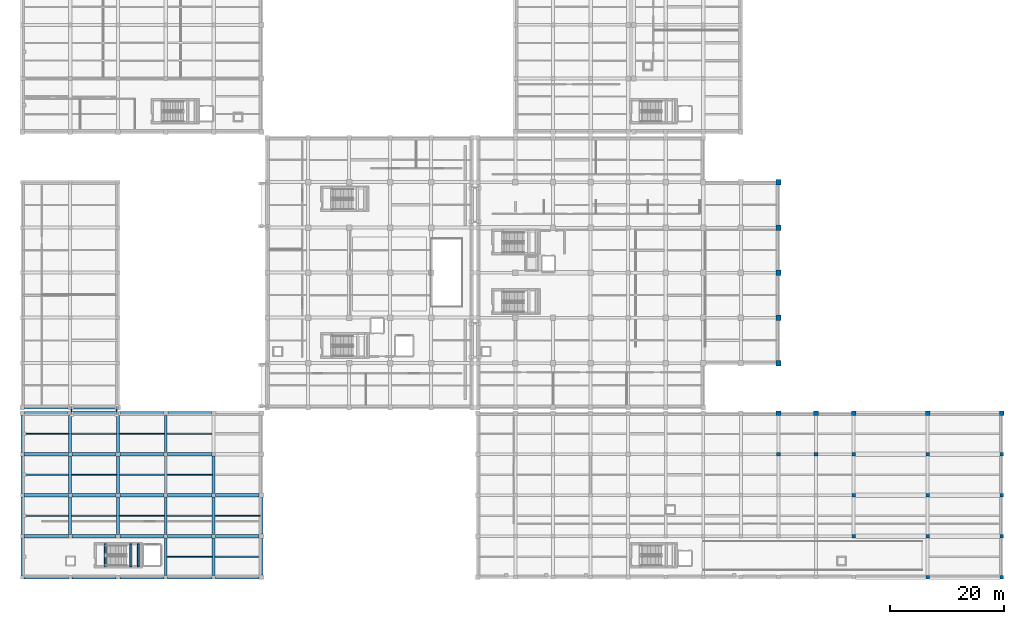
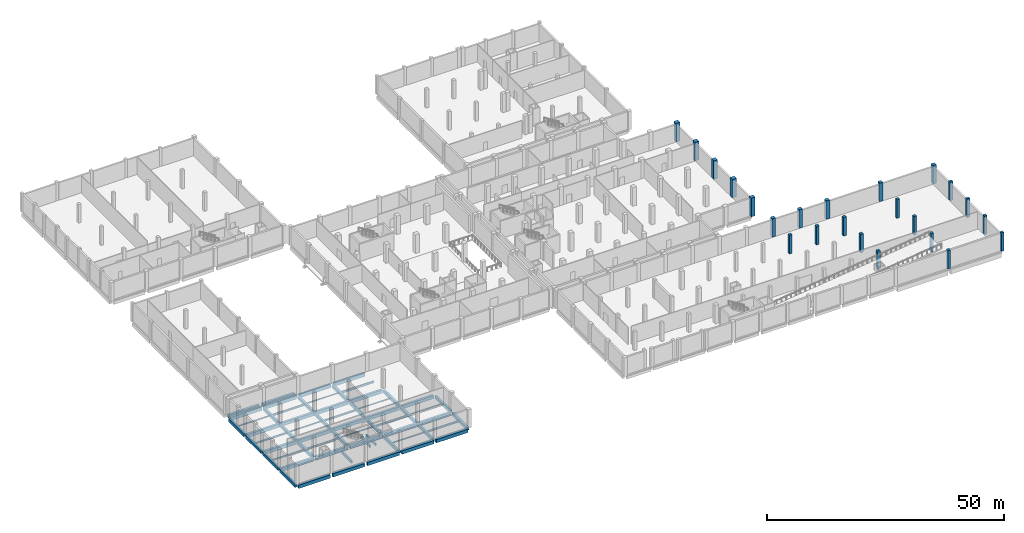
# One storey, part 2 of 31: 64 beams, 23 columns.
"""IFC4 building model written with IfcOpenShell, lengths in metres."""

from ifc_helpers import new_model, si_unit, direction, frame, origin, origin_2d, place, context, subcontext, project, spatial, rectangle, hollow_rectangle, i_section, extrude, material, material_profile, profile_set, type_object, element, save


model = new_model("IFC4")

# Units and contexts
model_context = context("Model", 3, precision=1e-05, world=origin(), true_north=direction((0.0, 1.0)))
body_context = subcontext(model_context, "Body", "Model", "MODEL_VIEW")
ifc_project = project(units=[si_unit("LENGTHUNIT", "METRE"), si_unit("AREAUNIT", "SQUARE_METRE"), si_unit("VOLUMEUNIT", "CUBIC_METRE"), si_unit("PLANEANGLEUNIT", "RADIAN"), si_unit("MASSUNIT", "GRAM", prefix="KILO")], contexts=[model_context])

# Site, building, storey
site_placement = place(None, origin())
site = spatial("IfcSite", under=ifc_project, at=site_placement, CompositionType="ELEMENT")
building_placement = place(site_placement, origin())
building = spatial("IfcBuilding", under=site, at=building_placement, Name="Kelarvand Opera House", CompositionType="ELEMENT")
storey_placement = place(building_placement, frame((0.0, 0.0, -4.800048828125)))
storey = spatial("IfcBuildingStorey", under=building, at=storey_placement, Name="B1", CompositionType="ELEMENT", Elevation=-4.800048828125)

# Columns
ifc_material_1 = material(Name="Concrete C40/50", Category="concrete")
ifc_material_profile_1 = material_profile(ifc_material_1, rectangle(XDim=0.64990234375, YDim=0.64990234375, at=origin_2d()), Name="RC 650x650", Category="concrete")
ifc_profile_set_1 = profile_set([ifc_material_profile_1], Name="Concrete C40/50")
column_type_1 = type_object("IfcColumnType", Name="Structural Column RC 650x650 (Int) COL-650", PredefinedType="COLUMN", material=ifc_profile_set_1)
for number, where, z_axis, x_axis, name in (
    (1, (141.800048828125, 30.60009765625, 0.0), (0.0, 0.0, 1.0), (1.0, 0.0, 0.0), "V6 Column COL-650 at B1"),
    (2, (148.39990234375, 30.60009765625, 0.0), (0.0, 0.0, 1.0), (1.0, 0.0, 0.0), "V6 Column COL-650 at B1"),
    (3, (155.0, 16.199951171875, 0.0), (0.0, 0.0, 1.0), (1.0, 0.0, 0.0), "V6 Column COL-650 at B1"),
    (4, (155.0, 23.39990234375, 0.0), (0.0, 0.0, 1.0), (1.0, 0.0, 0.0), "V6 Column COL-650 at B1"),
    (5, (155.0, 30.60009765625, 0.0), (0.0, 0.0, 1.0), (1.0, 0.0, 0.0), "V6 Column COL-650 at B1"),
    (6, (168.0, 9.0, 0.0), (0.0, 0.0, 1.0), (1.0, 0.0, 0.0), "V6 Column COL-650 at B1"),
    (7, (168.0, 16.199951171875, 0.0), (0.0, 0.0, 1.0), (1.0, 0.0, 0.0), "V6 Column COL-650 at B1"),
    (8, (168.0, 23.39990234375, 0.0), (0.0, 0.0, 1.0), (1.0, 0.0, 0.0), "V6 Column COL-650 at B1"),
    (9, (168.0, 30.60009765625, 0.0), (0.0, 0.0, 1.0), (1.0, 0.0, 0.0), "V6 Column COL-650 at B1"),
    (10, (181.0, 9.0, 0.0), (0.0, 0.0, 1.0), (1.0, 0.0, 0.0), "V6 Column COL-650 at B1"),
    (11, (181.0, 16.199951171875, 0.0), (0.0, 0.0, 1.0), (1.0, 0.0, 0.0), "V6 Column COL-650 at B1"),
    (12, (181.0, 23.39990234375, 0.0), (0.0, 0.0, 1.0), (1.0, 0.0, 0.0), "V6 Column COL-650 at B1"),
    (13, (181.0, 30.60009765625, 0.0), (0.0, 0.0, 1.0), (1.0, 0.0, 0.0), "V6 Column COL-650 at B1"),
):
    element("IfcColumn", number, at=place(storey_placement, frame(where, z_axis=z_axis, x_axis=x_axis)), inside=storey, type_object=column_type_1, Name=name, PredefinedType="COLUMN", context=body_context, shape_type="SweptSolid", body=[
        extrude(rectangle(XDim=0.64990234375, YDim=0.64990234375, at=origin_2d()), origin(), (0.0, 0.0, 1.0), 4.800048828125),
    ])
ifc_material_profile_2 = material_profile(ifc_material_1, rectangle(XDim=0.820068359375, YDim=0.820068359375, at=origin_2d()), Name="RC 820x820", Category="concrete")
ifc_profile_set_2 = profile_set([ifc_material_profile_2], Name="Concrete C40/50")
column_type_2 = type_object("IfcColumnType", Name="Structural Column RC 820x820 (Int) COL-820", PredefinedType="COLUMN", material=ifc_profile_set_2)
for number, where, z_axis, x_axis, name in (
    (14, (141.800048828125, 37.800048828125, 0.0), (0.0, 0.0, 1.0), (1.0, 0.0, 0.0), "V6 Column COL-820 at B1"),
    (15, (148.39990234375, 37.800048828125, 0.0), (0.0, 0.0, 1.0), (1.0, 0.0, 0.0), "V6 Column COL-820 at B1"),
    (16, (155.0, 37.800048828125, 0.0), (0.0, 0.0, 1.0), (1.0, 0.0, 0.0), "V6 Column COL-820 at B1"),
    (17, (168.0, 37.800048828125, 0.0), (0.0, 0.0, 1.0), (1.0, 0.0, 0.0), "V6 Column COL-820 at B1"),
    (18, (181.0, 37.800048828125, 0.0), (0.0, 0.0, 1.0), (1.0, 0.0, 0.0), "V6 Column COL-820 at B1"),
):
    element("IfcColumn", number, at=place(storey_placement, frame(where, z_axis=z_axis, x_axis=x_axis)), inside=storey, type_object=column_type_2, Name=name, PredefinedType="COLUMN", context=body_context, shape_type="SweptSolid", body=[
        extrude(rectangle(XDim=0.820068359375, YDim=0.820068359375, at=origin_2d()), origin(), (0.0, 0.0, 1.0), 4.800048828125),
    ])
ifc_material_profile_3 = material_profile(ifc_material_1, rectangle(XDim=0.949951171875, YDim=0.949951171875, at=origin_2d()), Name="RC 950x950", Category="concrete")
ifc_profile_set_3 = profile_set([ifc_material_profile_3], Name="Concrete C40/50")
column_type_3 = type_object("IfcColumnType", Name="Structural Column RC 950x950 (Int) COL-950", PredefinedType="COLUMN", material=ifc_profile_set_3)
for number, where, z_axis, x_axis, name in (
    (19, (141.800048828125, 46.60009765625, 0.0), (0.0, 0.0, 1.0), (1.0, 0.0, 0.0), "V1 Column COL-950 at B1"),
    (20, (141.800048828125, 54.60009765625, 0.0), (0.0, 0.0, 1.0), (1.0, 0.0, 0.0), "V1 Column COL-950 at B1"),
    (21, (141.800048828125, 62.5, 0.0), (0.0, 0.0, 1.0), (1.0, 0.0, 0.0), "V1 Column COL-950 at B1"),
    (22, (141.800048828125, 70.39990234375, 0.0), (0.0, 0.0, 1.0), (1.0, 0.0, 0.0), "V1 Column COL-950 at B1"),
    (23, (141.800048828125, 78.39990234375, 0.0), (0.0, 0.0, 1.0), (1.0, 0.0, 0.0), "V1 Column COL-950 at B1"),
):
    element("IfcColumn", number, at=place(storey_placement, frame(where, z_axis=z_axis, x_axis=x_axis)), inside=storey, type_object=column_type_3, Name=name, PredefinedType="COLUMN", context=body_context, shape_type="SweptSolid", body=[
        extrude(rectangle(XDim=0.949951171875, YDim=0.949951171875, at=origin_2d()), origin(), (0.0, 0.0, 1.0), 4.800048828125),
    ])

# Beams
ifc_material_2 = material(Name="Concrete C35/45", Category="concrete")
ifc_material_profile_4 = material_profile(ifc_material_2, rectangle(XDim=0.35009765625, YDim=0.60009765625, at=origin_2d()), Name="RC 350x600", Category="concrete")
ifc_profile_set_4 = profile_set([ifc_material_profile_4], Name="Concrete C35/45")
beam_type_1 = type_object("IfcBeamType", Name="Structural Beam RC 350x600 BM-RC350x600", PredefinedType="BEAM", material=ifc_profile_set_4)
for number, where, z_axis, x_axis, name in (
    (24, (23.5400390625, 10.85009765625, -0.52001953125), (0.0, 1.0, 0.0), (-1.0, 0.0, 0.0), "C6 Stair Landing Support Beam B1"),
    (25, (28.050048828125, 10.85009765625, 1.900146484375), (0.0, 1.0, 0.0), (-1.0, 0.0, 0.0), "C6 Stair Half-Landing Beam 1 B1"),
    (26, (29.35009765625, 10.85009765625, 1.900146484375), (0.0, 1.0, 0.0), (-1.0, 0.0, 0.0), "C6 Stair Half-Landing Beam 2 B1"),
):
    element("IfcBeam", number, at=place(storey_placement, frame(where, z_axis=z_axis, x_axis=x_axis)), inside=storey, type_object=beam_type_1, Name=name, PredefinedType="BEAM", context=body_context, shape_type="SweptSolid", body=[
        extrude(rectangle(XDim=0.35009765625, YDim=0.60009765625, at=origin_2d()), origin(), (0.0, 0.0, 1.0), 4.0),
    ])
ifc_material_profile_5 = material_profile(ifc_material_1, rectangle(XDim=0.5, YDim=0.75, at=origin_2d()), Name="RC 500x750", Category="concrete")
ifc_profile_set_5 = profile_set([ifc_material_profile_5], Name="Concrete C40/50")
beam_type_2 = type_object("IfcBeamType", Name="Structural Beam RC 500x750 BM-RC500x750", PredefinedType="BEAM", material=ifc_profile_set_5)
for number, where, z_axis, x_axis, name in (
    (27, (9.0, 9.324951171875, -0.675048828125), (0.0, 1.0, 0.0), (-1.0, 0.0, 0.0), "V4 B1 Beam BM-RC500x750"),
    (28, (9.0, 16.52490234375, -0.675048828125), (0.0, 1.0, 0.0), (-1.0, 0.0, 0.0), "V4 B1 Beam BM-RC500x750"),
):
    element("IfcBeam", number, at=place(storey_placement, frame(where, z_axis=z_axis, x_axis=x_axis)), inside=storey, type_object=beam_type_2, Name=name, PredefinedType="BEAM", context=body_context, shape_type="SweptSolid", body=[
        extrude(rectangle(XDim=0.5, YDim=0.75, at=origin_2d()), origin(), (0.0, 0.0, 1.0), 6.550048828125),
    ])
beam_1_placement = place(storey_placement, frame((9.0, 23.72509765625, -0.675048828125), z_axis=(0.0, 1.0, 0.0), x_axis=(-1.0, 0.0, 0.0)))
element("IfcBeam", 29, at=beam_1_placement, inside=storey, type_object=beam_type_2, Name="V4 B1 Beam BM-RC500x750", PredefinedType="BEAM", context=body_context, shape_type="SweptSolid", body=[
    extrude(rectangle(XDim=0.5, YDim=0.75, at=origin_2d()), origin(), (0.0, 0.0, 1.0), 6.5498046875),
])
beam_2_placement = place(storey_placement, frame((9.0, 30.925048828125, -0.675048828125), z_axis=(0.0, 1.0, 0.0), x_axis=(-1.0, 0.0, 0.0)))
element("IfcBeam", 30, at=beam_2_placement, inside=storey, type_object=beam_type_2, Name="V4 B1 Beam BM-RC500x750", PredefinedType="BEAM", context=body_context, shape_type="SweptSolid", body=[
    extrude(rectangle(XDim=0.5, YDim=0.75, at=origin_2d()), origin(), (0.0, 0.0, 1.0), 6.46484375),
])
beam_3_placement = place(storey_placement, frame((17.39990234375, 16.52490234375, -0.675048828125), z_axis=(0.0, 1.0, 0.0), x_axis=(-1.0, 0.0, 0.0)))
element("IfcBeam", 31, at=beam_3_placement, inside=storey, type_object=beam_type_2, Name="V4 B1 Beam BM-RC500x750", PredefinedType="BEAM", context=body_context, shape_type="SweptSolid", body=[
    extrude(rectangle(XDim=0.5, YDim=0.75, at=origin_2d()), origin(), (0.0, 0.0, 1.0), 6.550048828125),
])
beam_4_placement = place(storey_placement, frame((17.39990234375, 23.72509765625, -0.675048828125), z_axis=(0.0, 1.0, 0.0), x_axis=(-1.0, 0.0, 0.0)))
element("IfcBeam", 32, at=beam_4_placement, inside=storey, type_object=beam_type_2, Name="V4 B1 Beam BM-RC500x750", PredefinedType="BEAM", context=body_context, shape_type="SweptSolid", body=[
    extrude(rectangle(XDim=0.5, YDim=0.75, at=origin_2d()), origin(), (0.0, 0.0, 1.0), 6.5498046875),
])
beam_5_placement = place(storey_placement, frame((17.39990234375, 30.925048828125, -0.675048828125), z_axis=(0.0, 1.0, 0.0), x_axis=(-1.0, 0.0, 0.0)))
element("IfcBeam", 33, at=beam_5_placement, inside=storey, type_object=beam_type_2, Name="V4 B1 Beam BM-RC500x750", PredefinedType="BEAM", context=body_context, shape_type="SweptSolid", body=[
    extrude(rectangle(XDim=0.5, YDim=0.75, at=origin_2d()), origin(), (0.0, 0.0, 1.0), 6.46484375),
])
beam_6_placement = place(storey_placement, frame((25.800048828125, 16.52490234375, -0.675048828125), z_axis=(0.0, 1.0, 0.0), x_axis=(-1.0, 0.0, 0.0)))
element("IfcBeam", 34, at=beam_6_placement, inside=storey, type_object=beam_type_2, Name="V4 B1 Beam BM-RC500x750", PredefinedType="BEAM", context=body_context, shape_type="SweptSolid", body=[
    extrude(rectangle(XDim=0.5, YDim=0.75, at=origin_2d()), origin(), (0.0, 0.0, 1.0), 6.550048828125),
])
beam_7_placement = place(storey_placement, frame((25.800048828125, 23.72509765625, -0.675048828125), z_axis=(0.0, 1.0, 0.0), x_axis=(-1.0, 0.0, 0.0)))
element("IfcBeam", 35, at=beam_7_placement, inside=storey, type_object=beam_type_2, Name="V4 B1 Beam BM-RC500x750", PredefinedType="BEAM", context=body_context, shape_type="SweptSolid", body=[
    extrude(rectangle(XDim=0.5, YDim=0.75, at=origin_2d()), origin(), (0.0, 0.0, 1.0), 6.5498046875),
])
beam_8_placement = place(storey_placement, frame((25.800048828125, 30.925048828125, -0.675048828125), z_axis=(0.0, 1.0, 0.0), x_axis=(-1.0, 0.0, 0.0)))
element("IfcBeam", 36, at=beam_8_placement, inside=storey, type_object=beam_type_2, Name="V4 B1 Beam BM-RC500x750", PredefinedType="BEAM", context=body_context, shape_type="SweptSolid", body=[
    extrude(rectangle(XDim=0.5, YDim=0.75, at=origin_2d()), origin(), (0.0, 0.0, 1.0), 6.46484375),
])
for number, where, z_axis, x_axis, name in (
    (37, (34.199951171875, 9.324951171875, -0.675048828125), (0.0, 1.0, 0.0), (-1.0, 0.0, 0.0), "V4 B1 Beam BM-RC500x750"),
    (38, (34.199951171875, 16.52490234375, -0.675048828125), (0.0, 1.0, 0.0), (-1.0, 0.0, 0.0), "V4 B1 Beam BM-RC500x750"),
):
    element("IfcBeam", number, at=place(storey_placement, frame(where, z_axis=z_axis, x_axis=x_axis)), inside=storey, type_object=beam_type_2, Name=name, PredefinedType="BEAM", context=body_context, shape_type="SweptSolid", body=[
        extrude(rectangle(XDim=0.5, YDim=0.75, at=origin_2d()), origin(), (0.0, 0.0, 1.0), 6.550048828125),
    ])
beam_9_placement = place(storey_placement, frame((34.199951171875, 23.72509765625, -0.675048828125), z_axis=(0.0, 1.0, 0.0), x_axis=(-1.0, 0.0, 0.0)))
element("IfcBeam", 39, at=beam_9_placement, inside=storey, type_object=beam_type_2, Name="V4 B1 Beam BM-RC500x750", PredefinedType="BEAM", context=body_context, shape_type="SweptSolid", body=[
    extrude(rectangle(XDim=0.5, YDim=0.75, at=origin_2d()), origin(), (0.0, 0.0, 1.0), 6.5498046875),
])
beam_10_placement = place(storey_placement, frame((34.199951171875, 30.925048828125, -0.675048828125), z_axis=(0.0, 1.0, 0.0), x_axis=(-1.0, 0.0, 0.0)))
element("IfcBeam", 40, at=beam_10_placement, inside=storey, type_object=beam_type_2, Name="V4 B1 Beam BM-RC500x750", PredefinedType="BEAM", context=body_context, shape_type="SweptSolid", body=[
    extrude(rectangle(XDim=0.5, YDim=0.75, at=origin_2d()), origin(), (0.0, 0.0, 1.0), 6.46484375),
])
for number, where, z_axis, x_axis, name in (
    (41, (42.60009765625, 9.324951171875, -0.675048828125), (0.0, 1.0, 0.0), (-1.0, 0.0, 0.0), "V4 B1 Beam BM-RC500x750"),
    (42, (42.60009765625, 16.52490234375, -0.675048828125), (0.0, 1.0, 0.0), (-1.0, 0.0, 0.0), "V4 B1 Beam BM-RC500x750"),
):
    element("IfcBeam", number, at=place(storey_placement, frame(where, z_axis=z_axis, x_axis=x_axis)), inside=storey, type_object=beam_type_2, Name=name, PredefinedType="BEAM", context=body_context, shape_type="SweptSolid", body=[
        extrude(rectangle(XDim=0.5, YDim=0.75, at=origin_2d()), origin(), (0.0, 0.0, 1.0), 6.550048828125),
    ])
beam_11_placement = place(storey_placement, frame((42.60009765625, 23.72509765625, -0.675048828125), z_axis=(0.0, 1.0, 0.0), x_axis=(-1.0, 0.0, 0.0)))
element("IfcBeam", 43, at=beam_11_placement, inside=storey, type_object=beam_type_2, Name="V4 B1 Beam BM-RC500x750", PredefinedType="BEAM", context=body_context, shape_type="SweptSolid", body=[
    extrude(rectangle(XDim=0.5, YDim=0.75, at=origin_2d()), origin(), (0.0, 0.0, 1.0), 6.5498046875),
])
beam_12_placement = place(storey_placement, frame((51.0, 9.409912109375, -0.675048828125), z_axis=(0.0, 1.0, 0.0), x_axis=(-1.0, 0.0, 0.0)))
element("IfcBeam", 44, at=beam_12_placement, inside=storey, type_object=beam_type_2, Name="V4 B1 Beam BM-RC500x750", PredefinedType="BEAM", context=body_context, shape_type="SweptSolid", body=[
    extrude(rectangle(XDim=0.5, YDim=0.75, at=origin_2d()), origin(), (0.0, 0.0, 1.0), 6.380126953125),
])
beam_13_placement = place(storey_placement, frame((51.0, 16.610107421875, -0.675048828125), z_axis=(0.0, 1.0, 0.0), x_axis=(-1.0, 0.0, 0.0)))
element("IfcBeam", 45, at=beam_13_placement, inside=storey, type_object=beam_type_2, Name="V4 B1 Beam BM-RC500x750", PredefinedType="BEAM", context=body_context, shape_type="SweptSolid", body=[
    extrude(rectangle(XDim=0.5, YDim=0.75, at=origin_2d()), origin(), (0.0, 0.0, 1.0), 6.3798828125),
])
ifc_material_profile_6 = material_profile(ifc_material_1, rectangle(XDim=0.550048828125, YDim=0.85009765625, at=origin_2d()), Name="RC 550x850", Category="concrete")
ifc_profile_set_6 = profile_set([ifc_material_profile_6], Name="Concrete C40/50")
beam_type_3 = type_object("IfcBeamType", Name="Structural Beam RC 550x850 BM-RC550x850", PredefinedType="BEAM", material=ifc_profile_set_6)
for number, where, z_axis, x_axis, name in (
    (46, (9.324951171875, 9.0, -0.724853515625), (1.0, 0.0, 0.0), (0.0, 1.0, 0.0), "V4 B1 Beam BM-RC550x850"),
    (47, (17.72509765625, 9.0, -0.724853515625), (1.0, 0.0, 0.0), (0.0, 1.0, 0.0), "V4 B1 Beam BM-RC550x850"),
    (48, (26.125, 9.0, -0.724853515625), (1.0, 0.0, 0.0), (0.0, 1.0, 0.0), "V4 B1 Beam BM-RC550x850"),
    (49, (34.52490234375, 9.0, -0.724853515625), (1.0, 0.0, 0.0), (0.0, 1.0, 0.0), "V4 B1 Beam BM-RC550x850"),
):
    element("IfcBeam", number, at=place(storey_placement, frame(where, z_axis=z_axis, x_axis=x_axis)), inside=storey, type_object=beam_type_3, Name=name, PredefinedType="BEAM", context=body_context, shape_type="SweptSolid", body=[
        extrude(rectangle(XDim=0.550048828125, YDim=0.85009765625, at=origin_2d()), origin(), (0.0, 0.0, 1.0), 7.75),
    ])
beam_14_placement = place(storey_placement, frame((42.925048828125, 9.0, -0.724853515625), z_axis=(1.0, 0.0, 0.0), x_axis=(0.0, 1.0, 0.0)))
element("IfcBeam", 50, at=beam_14_placement, inside=storey, type_object=beam_type_3, Name="V4 B1 Beam BM-RC550x850", PredefinedType="BEAM", context=body_context, shape_type="SweptSolid", body=[
    extrude(rectangle(XDim=0.550048828125, YDim=0.85009765625, at=origin_2d()), origin(), (0.0, 0.0, 1.0), 7.6650390625),
])
for number, where, z_axis, x_axis, name in (
    (51, (9.324951171875, 16.199951171875, -0.724853515625), (1.0, 0.0, 0.0), (0.0, 1.0, 0.0), "V4 B1 Beam BM-RC550x850"),
    (52, (17.72509765625, 16.199951171875, -0.724853515625), (1.0, 0.0, 0.0), (0.0, 1.0, 0.0), "V4 B1 Beam BM-RC550x850"),
    (53, (26.125, 16.199951171875, -0.724853515625), (1.0, 0.0, 0.0), (0.0, 1.0, 0.0), "V4 B1 Beam BM-RC550x850"),
    (54, (34.52490234375, 16.199951171875, -0.724853515625), (1.0, 0.0, 0.0), (0.0, 1.0, 0.0), "V4 B1 Beam BM-RC550x850"),
):
    element("IfcBeam", number, at=place(storey_placement, frame(where, z_axis=z_axis, x_axis=x_axis)), inside=storey, type_object=beam_type_3, Name=name, PredefinedType="BEAM", context=body_context, shape_type="SweptSolid", body=[
        extrude(rectangle(XDim=0.550048828125, YDim=0.85009765625, at=origin_2d()), origin(), (0.0, 0.0, 1.0), 7.75),
    ])
beam_15_placement = place(storey_placement, frame((42.925048828125, 16.199951171875, -0.724853515625), z_axis=(1.0, 0.0, 0.0), x_axis=(0.0, 1.0, 0.0)))
element("IfcBeam", 55, at=beam_15_placement, inside=storey, type_object=beam_type_3, Name="V4 B1 Beam BM-RC550x850", PredefinedType="BEAM", context=body_context, shape_type="SweptSolid", body=[
    extrude(rectangle(XDim=0.550048828125, YDim=0.85009765625, at=origin_2d()), origin(), (0.0, 0.0, 1.0), 7.6650390625),
])
for number, where, z_axis, x_axis, name in (
    (56, (9.324951171875, 23.39990234375, -0.724853515625), (1.0, 0.0, 0.0), (0.0, 1.0, 0.0), "V4 B1 Beam BM-RC550x850"),
    (57, (17.72509765625, 23.39990234375, -0.724853515625), (1.0, 0.0, 0.0), (0.0, 1.0, 0.0), "V4 B1 Beam BM-RC550x850"),
    (58, (26.125, 23.39990234375, -0.724853515625), (1.0, 0.0, 0.0), (0.0, 1.0, 0.0), "V4 B1 Beam BM-RC550x850"),
    (59, (34.52490234375, 23.39990234375, -0.724853515625), (1.0, 0.0, 0.0), (0.0, 1.0, 0.0), "V4 B1 Beam BM-RC550x850"),
):
    element("IfcBeam", number, at=place(storey_placement, frame(where, z_axis=z_axis, x_axis=x_axis)), inside=storey, type_object=beam_type_3, Name=name, PredefinedType="BEAM", context=body_context, shape_type="SweptSolid", body=[
        extrude(rectangle(XDim=0.550048828125, YDim=0.85009765625, at=origin_2d()), origin(), (0.0, 0.0, 1.0), 7.75),
    ])
beam_16_placement = place(storey_placement, frame((42.925048828125, 23.39990234375, -0.724853515625), z_axis=(1.0, 0.0, 0.0), x_axis=(0.0, 1.0, 0.0)))
element("IfcBeam", 60, at=beam_16_placement, inside=storey, type_object=beam_type_3, Name="V4 B1 Beam BM-RC550x850", PredefinedType="BEAM", context=body_context, shape_type="SweptSolid", body=[
    extrude(rectangle(XDim=0.550048828125, YDim=0.85009765625, at=origin_2d()), origin(), (0.0, 0.0, 1.0), 7.6650390625),
])
for number, where, z_axis, x_axis, name in (
    (61, (9.324951171875, 30.60009765625, -0.724853515625), (1.0, 0.0, 0.0), (0.0, 1.0, 0.0), "V4 B1 Beam BM-RC550x850"),
    (62, (17.72509765625, 30.60009765625, -0.724853515625), (1.0, 0.0, 0.0), (0.0, 1.0, 0.0), "V4 B1 Beam BM-RC550x850"),
    (63, (26.125, 30.60009765625, -0.724853515625), (1.0, 0.0, 0.0), (0.0, 1.0, 0.0), "V4 B1 Beam BM-RC550x850"),
    (64, (34.52490234375, 30.60009765625, -0.724853515625), (1.0, 0.0, 0.0), (0.0, 1.0, 0.0), "V4 B1 Beam BM-RC550x850"),
):
    element("IfcBeam", number, at=place(storey_placement, frame(where, z_axis=z_axis, x_axis=x_axis)), inside=storey, type_object=beam_type_3, Name=name, PredefinedType="BEAM", context=body_context, shape_type="SweptSolid", body=[
        extrude(rectangle(XDim=0.550048828125, YDim=0.85009765625, at=origin_2d()), origin(), (0.0, 0.0, 1.0), 7.75),
    ])
beam_17_placement = place(storey_placement, frame((9.409912109375, 37.800048828125, -0.724853515625), z_axis=(1.0, 0.0, 0.0), x_axis=(0.0, 1.0, 0.0)))
element("IfcBeam", 65, at=beam_17_placement, inside=storey, type_object=beam_type_3, Name="V4 B1 Beam BM-RC550x850", PredefinedType="BEAM", context=body_context, shape_type="SweptSolid", body=[
    extrude(rectangle(XDim=0.550048828125, YDim=0.85009765625, at=origin_2d()), origin(), (0.0, 0.0, 1.0), 7.580078125),
])
beam_18_placement = place(storey_placement, frame((17.81005859375, 37.800048828125, -0.724853515625), z_axis=(1.0, 0.0, 0.0), x_axis=(0.0, 1.0, 0.0)))
element("IfcBeam", 66, at=beam_18_placement, inside=storey, type_object=beam_type_3, Name="V4 B1 Beam BM-RC550x850", PredefinedType="BEAM", context=body_context, shape_type="SweptSolid", body=[
    extrude(rectangle(XDim=0.550048828125, YDim=0.85009765625, at=origin_2d()), origin(), (0.0, 0.0, 1.0), 7.579833984375),
])
beam_19_placement = place(storey_placement, frame((26.2099609375, 37.800048828125, -0.724853515625), z_axis=(1.0, 0.0, 0.0), x_axis=(0.0, 1.0, 0.0)))
element("IfcBeam", 67, at=beam_19_placement, inside=storey, type_object=beam_type_3, Name="V4 B1 Beam BM-RC550x850", PredefinedType="BEAM", context=body_context, shape_type="SweptSolid", body=[
    extrude(rectangle(XDim=0.550048828125, YDim=0.85009765625, at=origin_2d()), origin(), (0.0, 0.0, 1.0), 7.580078125),
])
beam_20_placement = place(storey_placement, frame((34.610107421875, 37.800048828125, -0.724853515625), z_axis=(1.0, 0.0, 0.0), x_axis=(0.0, 1.0, 0.0)))
element("IfcBeam", 68, at=beam_20_placement, inside=storey, type_object=beam_type_3, Name="V4 B1 Beam BM-RC550x850", PredefinedType="BEAM", context=body_context, shape_type="SweptSolid", body=[
    extrude(rectangle(XDim=0.550048828125, YDim=0.85009765625, at=origin_2d()), origin(), (0.0, 0.0, 1.0), 7.579833984375),
])
beam_21_placement = place(storey_placement, frame((9.409912109375, 38.800048828125, -0.724853515625), z_axis=(1.0, 0.0, 0.0), x_axis=(0.0, 1.0, 0.0)))
element("IfcBeam", 69, at=beam_21_placement, inside=storey, type_object=beam_type_3, Name="V4 B1 Beam BM-RC550x850", PredefinedType="BEAM", context=body_context, shape_type="SweptSolid", body=[
    extrude(rectangle(XDim=0.550048828125, YDim=0.85009765625, at=origin_2d()), origin(), (0.0, 0.0, 1.0), 7.580078125),
])
beam_22_placement = place(storey_placement, frame((17.81005859375, 38.800048828125, -0.724853515625), z_axis=(1.0, 0.0, 0.0), x_axis=(0.0, 1.0, 0.0)))
element("IfcBeam", 70, at=beam_22_placement, inside=storey, type_object=beam_type_3, Name="V4 B1 Beam BM-RC550x850", PredefinedType="BEAM", context=body_context, shape_type="SweptSolid", body=[
    extrude(rectangle(XDim=0.550048828125, YDim=0.85009765625, at=origin_2d()), origin(), (0.0, 0.0, 1.0), 7.579833984375),
])
ifc_material_3 = material(Name="Steel S355", Category="steel")
ifc_material_profile_7 = material_profile(ifc_material_3, hollow_rectangle(XDim=0.199951171875, YDim=0.39990234375, WallThickness=0.01611328125, at=origin_2d()), Name="RHS 400x200x16.0", Category="steel")
ifc_profile_set_7 = profile_set([ifc_material_profile_7], Name="Steel S355")
beam_type_4 = type_object("IfcBeamType", Name="Structural Beam RHS 400x200x16.0 BM-RHS400", PredefinedType="BEAM", material=ifc_profile_set_7)
for number, where, z_axis, x_axis, name in (
    (71, (17.64990234375, 37.64990234375, -0.599853515625), (0.0, 1.0, 0.0), (-1.0, 0.0, 0.0), "Seismic Sliding Corbel Beam BR-JS-W B1 1"),
    (72, (25.550048828125, 37.64990234375, -0.599853515625), (0.0, 1.0, 0.0), (-1.0, 0.0, 0.0), "Seismic Sliding Corbel Beam BR-JS-W B1 2"),
):
    element("IfcBeam", number, at=place(storey_placement, frame(where, z_axis=z_axis, x_axis=x_axis)), inside=storey, type_object=beam_type_4, Name=name, PredefinedType="BEAM", context=body_context, shape_type="SweptSolid", body=[
        extrude(hollow_rectangle(XDim=0.199951171875, YDim=0.39990234375, WallThickness=0.01611328125, at=origin_2d()), origin(), (0.0, 0.0, 1.0), 1.300048828125),
    ])
ifc_material_profile_8 = material_profile(ifc_material_3, i_section(OverallWidth=0.14990234375, OverallDepth=0.300048828125, WebThickness=0.007080078125, FlangeThickness=0.0107421875, at=origin_2d()), Name="IPE 300", Category="steel")
ifc_profile_set_8 = profile_set([ifc_material_profile_8], Name="Steel S355")
beam_type_5 = type_object("IfcBeamType", Name="Structural Joist IPE 300 JS-IPE300", PredefinedType="JOIST", material=ifc_profile_set_8)
beam_23_placement = place(storey_placement, frame((26.050048828125, 34.199951171875, -0.449951171875), z_axis=(1.0, 0.0, 0.0), x_axis=(0.0, 1.0, 0.0)))
element("IfcBeam", 73, at=beam_23_placement, inside=storey, type_object=beam_type_5, Name="V4 B1 Beam JS-IPE300", PredefinedType="JOIST", context=body_context, shape_type="SweptSolid", body=[
    extrude(i_section(OverallWidth=0.14990234375, OverallDepth=0.300048828125, WebThickness=0.007080078125, FlangeThickness=0.0107421875, at=origin_2d()), origin(), (0.0, 0.0, 1.0), 7.89990234375),
])
beam_24_placement = place(storey_placement, frame((34.449951171875, 27.0, -0.449951171875), z_axis=(1.0, 0.0, 0.0), x_axis=(0.0, 1.0, 0.0)))
element("IfcBeam", 74, at=beam_24_placement, inside=storey, type_object=beam_type_5, Name="V4 B1 Beam JS-IPE300", PredefinedType="JOIST", context=body_context, shape_type="SweptSolid", body=[
    extrude(i_section(OverallWidth=0.14990234375, OverallDepth=0.300048828125, WebThickness=0.007080078125, FlangeThickness=0.0107421875, at=origin_2d()), origin(), (0.0, 0.0, 1.0), 7.900146484375),
])
beam_25_placement = place(storey_placement, frame((42.85009765625, 19.800048828125, -0.449951171875), z_axis=(1.0, 0.0, 0.0), x_axis=(0.0, 1.0, 0.0)))
element("IfcBeam", 75, at=beam_25_placement, inside=storey, type_object=beam_type_5, Name="V4 B1 Beam JS-IPE300", PredefinedType="JOIST", context=body_context, shape_type="SweptSolid", body=[
    extrude(i_section(OverallWidth=0.14990234375, OverallDepth=0.300048828125, WebThickness=0.007080078125, FlangeThickness=0.0107421875, at=origin_2d()), origin(), (0.0, 0.0, 1.0), 7.89990234375),
])
ifc_material_profile_9 = material_profile(ifc_material_3, i_section(OverallWidth=0.159912109375, OverallDepth=0.330078125, WebThickness=0.007568359375, FlangeThickness=0.011474609375, at=origin_2d()), Name="IPE 330", Category="steel")
ifc_profile_set_9 = profile_set([ifc_material_profile_9], Name="Steel S355")
beam_type_6 = type_object("IfcBeamType", Name="Structural Joist IPE 330 JS-IPE330", PredefinedType="JOIST", material=ifc_profile_set_9)
beam_26_placement = place(storey_placement, frame((9.25, 34.199951171875, -0.46484375), z_axis=(1.0, 0.0, 0.0), x_axis=(0.0, 1.0, 0.0)))
element("IfcBeam", 76, at=beam_26_placement, inside=storey, type_object=beam_type_6, Name="V4 B1 Beam JS-IPE330", PredefinedType="JOIST", context=body_context, shape_type="SweptSolid", body=[
    extrude(i_section(OverallWidth=0.159912109375, OverallDepth=0.330078125, WebThickness=0.007568359375, FlangeThickness=0.011474609375, at=origin_2d()), origin(), (0.0, 0.0, 1.0), 7.89990234375),
])
beam_27_placement = place(storey_placement, frame((17.64990234375, 27.0, -0.46484375), z_axis=(1.0, 0.0, 0.0), x_axis=(0.0, 1.0, 0.0)))
element("IfcBeam", 77, at=beam_27_placement, inside=storey, type_object=beam_type_6, Name="V4 B1 Beam JS-IPE330", PredefinedType="JOIST", context=body_context, shape_type="SweptSolid", body=[
    extrude(i_section(OverallWidth=0.159912109375, OverallDepth=0.330078125, WebThickness=0.007568359375, FlangeThickness=0.011474609375, at=origin_2d()), origin(), (0.0, 0.0, 1.0), 7.900146484375),
])
beam_28_placement = place(storey_placement, frame((26.050048828125, 19.800048828125, -0.46484375), z_axis=(1.0, 0.0, 0.0), x_axis=(0.0, 1.0, 0.0)))
element("IfcBeam", 78, at=beam_28_placement, inside=storey, type_object=beam_type_6, Name="V4 B1 Beam JS-IPE330", PredefinedType="JOIST", context=body_context, shape_type="SweptSolid", body=[
    extrude(i_section(OverallWidth=0.159912109375, OverallDepth=0.330078125, WebThickness=0.007568359375, FlangeThickness=0.011474609375, at=origin_2d()), origin(), (0.0, 0.0, 1.0), 7.89990234375),
])
beam_29_placement = place(storey_placement, frame((34.449951171875, 12.60009765625, -0.46484375), z_axis=(1.0, 0.0, 0.0), x_axis=(0.0, 1.0, 0.0)))
element("IfcBeam", 79, at=beam_29_placement, inside=storey, type_object=beam_type_6, Name="V4 B1 Beam JS-IPE330", PredefinedType="JOIST", context=body_context, shape_type="SweptSolid", body=[
    extrude(i_section(OverallWidth=0.159912109375, OverallDepth=0.330078125, WebThickness=0.007568359375, FlangeThickness=0.011474609375, at=origin_2d()), origin(), (0.0, 0.0, 1.0), 7.900146484375),
])
ifc_material_profile_10 = material_profile(ifc_material_3, i_section(OverallWidth=0.179931640625, OverallDepth=0.39990234375, WebThickness=0.008544921875, FlangeThickness=0.013427734375, at=origin_2d()), Name="IPE 400", Category="steel")
ifc_profile_set_10 = profile_set([ifc_material_profile_10], Name="Steel S355")
beam_type_7 = type_object("IfcBeamType", Name="Structural Joist IPE 400 JS-IPE400", PredefinedType="JOIST", material=ifc_profile_set_10)
beam_30_placement = place(storey_placement, frame((9.25, 19.800048828125, -0.5), z_axis=(1.0, 0.0, 0.0), x_axis=(0.0, 1.0, 0.0)))
element("IfcBeam", 80, at=beam_30_placement, inside=storey, type_object=beam_type_7, Name="V4 B1 Beam JS-IPE400", PredefinedType="JOIST", context=body_context, shape_type="SweptSolid", body=[
    extrude(i_section(OverallWidth=0.179931640625, OverallDepth=0.39990234375, WebThickness=0.008544921875, FlangeThickness=0.013427734375, at=origin_2d()), origin(), (0.0, 0.0, 1.0), 7.89990234375),
])
ifc_material_profile_11 = material_profile(ifc_material_3, i_section(OverallWidth=0.18994140625, OverallDepth=0.449951171875, WebThickness=0.009521484375, FlangeThickness=0.0146484375, at=origin_2d()), Name="IPE 450", Category="steel")
ifc_profile_set_11 = profile_set([ifc_material_profile_11], Name="Steel S355")
beam_type_8 = type_object("IfcBeamType", Name="Structural Joist IPE 450 JS-IPE450", PredefinedType="JOIST", material=ifc_profile_set_11)
beam_31_placement = place(storey_placement, frame((9.25, 27.0, -0.52490234375), z_axis=(1.0, 0.0, 0.0), x_axis=(0.0, 1.0, 0.0)))
element("IfcBeam", 81, at=beam_31_placement, inside=storey, type_object=beam_type_8, Name="V4 B1 Beam JS-IPE450", PredefinedType="JOIST", context=body_context, shape_type="SweptSolid", body=[
    extrude(i_section(OverallWidth=0.18994140625, OverallDepth=0.449951171875, WebThickness=0.009521484375, FlangeThickness=0.0146484375, at=origin_2d()), origin(), (0.0, 0.0, 1.0), 7.89990234375),
])
beam_32_placement = place(storey_placement, frame((17.64990234375, 19.800048828125, -0.52490234375), z_axis=(1.0, 0.0, 0.0), x_axis=(0.0, 1.0, 0.0)))
element("IfcBeam", 82, at=beam_32_placement, inside=storey, type_object=beam_type_8, Name="V4 B1 Beam JS-IPE450", PredefinedType="JOIST", context=body_context, shape_type="SweptSolid", body=[
    extrude(i_section(OverallWidth=0.18994140625, OverallDepth=0.449951171875, WebThickness=0.009521484375, FlangeThickness=0.0146484375, at=origin_2d()), origin(), (0.0, 0.0, 1.0), 7.900146484375),
])
ifc_material_profile_12 = material_profile(ifc_material_3, i_section(OverallWidth=0.199951171875, OverallDepth=0.5, WebThickness=0.01025390625, FlangeThickness=0.01611328125, at=origin_2d()), Name="IPE 500", Category="steel")
ifc_profile_set_12 = profile_set([ifc_material_profile_12], Name="Steel S355")
beam_type_9 = type_object("IfcBeamType", Name="Structural Joist IPE 500 JS-IPE500", PredefinedType="JOIST", material=ifc_profile_set_12)
beam_33_placement = place(storey_placement, frame((17.64990234375, 34.199951171875, -0.550048828125), z_axis=(1.0, 0.0, 0.0), x_axis=(0.0, 1.0, 0.0)))
element("IfcBeam", 83, at=beam_33_placement, inside=storey, type_object=beam_type_9, Name="V4 B1 Beam JS-IPE500", PredefinedType="JOIST", context=body_context, shape_type="SweptSolid", body=[
    extrude(i_section(OverallWidth=0.199951171875, OverallDepth=0.5, WebThickness=0.01025390625, FlangeThickness=0.01611328125, at=origin_2d()), origin(), (0.0, 0.0, 1.0), 7.900146484375),
])
beam_34_placement = place(storey_placement, frame((26.050048828125, 27.0, -0.550048828125), z_axis=(1.0, 0.0, 0.0), x_axis=(0.0, 1.0, 0.0)))
element("IfcBeam", 84, at=beam_34_placement, inside=storey, type_object=beam_type_9, Name="V4 B1 Beam JS-IPE500", PredefinedType="JOIST", context=body_context, shape_type="SweptSolid", body=[
    extrude(i_section(OverallWidth=0.199951171875, OverallDepth=0.5, WebThickness=0.01025390625, FlangeThickness=0.01611328125, at=origin_2d()), origin(), (0.0, 0.0, 1.0), 7.89990234375),
])
beam_35_placement = place(storey_placement, frame((34.449951171875, 19.800048828125, -0.550048828125), z_axis=(1.0, 0.0, 0.0), x_axis=(0.0, 1.0, 0.0)))
element("IfcBeam", 85, at=beam_35_placement, inside=storey, type_object=beam_type_9, Name="V4 B1 Beam JS-IPE500", PredefinedType="JOIST", context=body_context, shape_type="SweptSolid", body=[
    extrude(i_section(OverallWidth=0.199951171875, OverallDepth=0.5, WebThickness=0.01025390625, FlangeThickness=0.01611328125, at=origin_2d()), origin(), (0.0, 0.0, 1.0), 7.900146484375),
])
beam_36_placement = place(storey_placement, frame((42.85009765625, 12.60009765625, -0.550048828125), z_axis=(1.0, 0.0, 0.0), x_axis=(0.0, 1.0, 0.0)))
element("IfcBeam", 86, at=beam_36_placement, inside=storey, type_object=beam_type_9, Name="V4 B1 Beam JS-IPE500", PredefinedType="JOIST", context=body_context, shape_type="SweptSolid", body=[
    extrude(i_section(OverallWidth=0.199951171875, OverallDepth=0.5, WebThickness=0.01025390625, FlangeThickness=0.01611328125, at=origin_2d()), origin(), (0.0, 0.0, 1.0), 7.89990234375),
])
ifc_material_profile_13 = material_profile(ifc_material_3, i_section(OverallWidth=0.2099609375, OverallDepth=0.550048828125, WebThickness=0.010986328125, FlangeThickness=0.01708984375, at=origin_2d()), Name="IPE 550", Category="steel")
ifc_profile_set_13 = profile_set([ifc_material_profile_13], Name="Steel S355")
beam_type_10 = type_object("IfcBeamType", Name="Structural Joist IPE 550 JS-IPE550", PredefinedType="JOIST", material=ifc_profile_set_13)
beam_37_placement = place(storey_placement, frame((34.449951171875, 34.199951171875, -0.574951171875), z_axis=(1.0, 0.0, 0.0), x_axis=(0.0, 1.0, 0.0)))
element("IfcBeam", 87, at=beam_37_placement, inside=storey, type_object=beam_type_10, Name="V4 B1 Beam JS-IPE550", PredefinedType="JOIST", context=body_context, shape_type="SweptSolid", body=[
    extrude(i_section(OverallWidth=0.2099609375, OverallDepth=0.550048828125, WebThickness=0.010986328125, FlangeThickness=0.01708984375, at=origin_2d()), origin(), (0.0, 0.0, 1.0), 7.900146484375),
])

save(model, "model.ifc")
